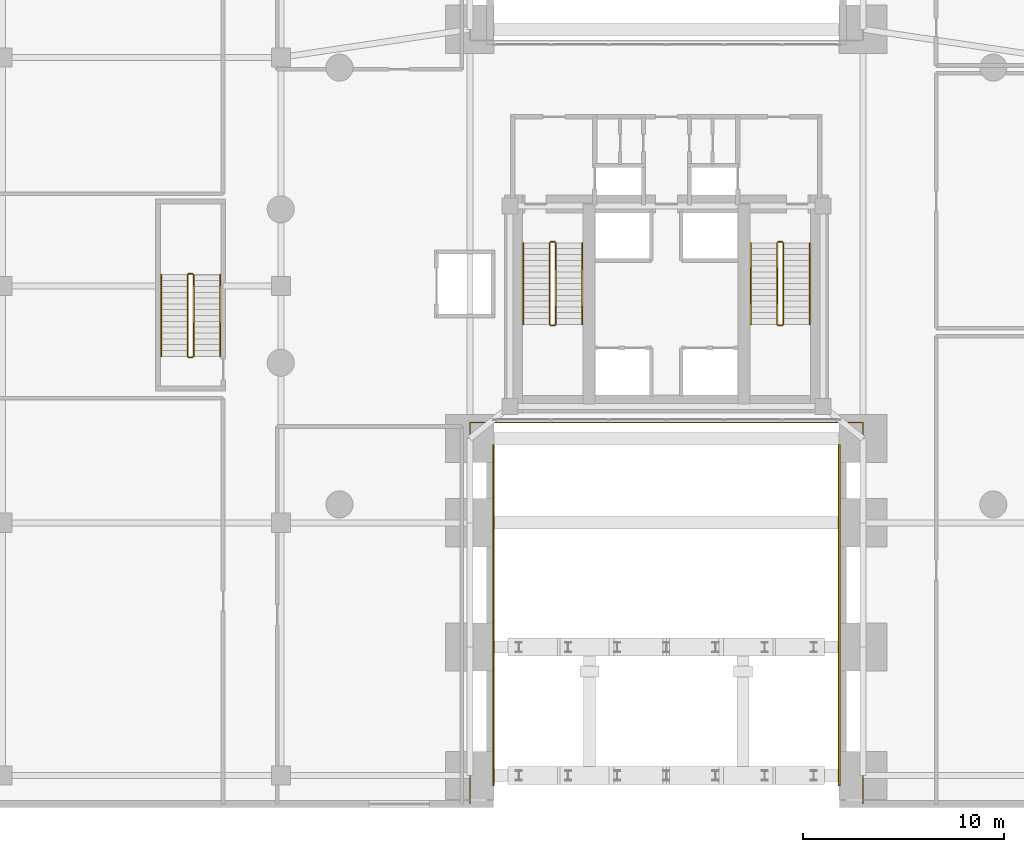
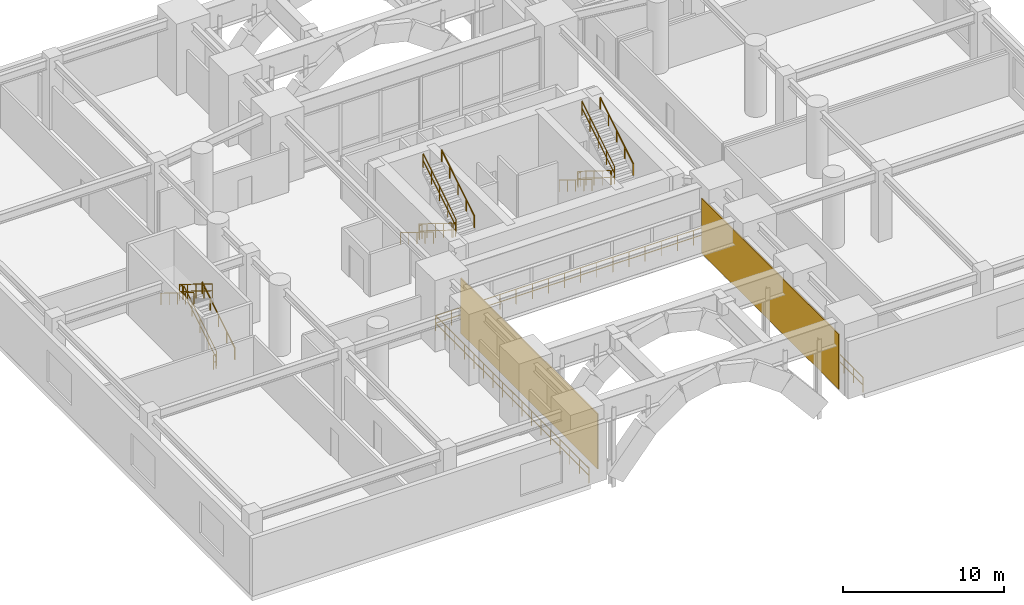
# One storey, part 17 of 18: 19 railings, 2 coverings.
"""IFC4 building model written with IfcOpenShell, lengths in metres."""

from ifc_helpers import new_model, si_unit, direction, frame, origin, origin_2d, place, context, subcontext, project, spatial, rectangle, extrude, material, layer, layer_set, type_object, element, save


model = new_model("IFC4")

# Units and contexts
model_context = context("Model", 3, precision=1e-05, world=origin(), true_north=direction((0.0, 1.0)))
body_context = subcontext(model_context, "Body", "Model", "MODEL_VIEW")
ifc_project = project(units=[si_unit("LENGTHUNIT", "METRE"), si_unit("AREAUNIT", "SQUARE_METRE"), si_unit("VOLUMEUNIT", "CUBIC_METRE"), si_unit("PLANEANGLEUNIT", "RADIAN"), si_unit("MASSUNIT", "GRAM", prefix="KILO"), si_unit("THERMODYNAMICTEMPERATUREUNIT", "KELVIN"), si_unit("POWERUNIT", "WATT")], contexts=[model_context])

# Site, building, storey
site_placement = place(None, origin())
site = spatial("IfcSite", under=ifc_project, at=site_placement, CompositionType="ELEMENT")
building_placement = place(site_placement, origin())
building = spatial("IfcBuilding", under=site, at=building_placement, Name="Ocrelia Relay Tower", CompositionType="ELEMENT")
storey_placement = place(building_placement, frame((0.0, 0.0, 10.199951171875)))
storey = spatial("IfcBuildingStorey", under=building, at=storey_placement, Name="L02", CompositionType="ELEMENT", Elevation=10.199951171875)

# Coverings
ifc_material_1 = material(Name="Pigmented oxide terracotta architectural cladding", Category="masonry")
ifc_layer = layer(ifc_material_1, 0.080078125, Name="Pigmented oxide terracotta architectural cladding")
ifc_layer_set = layer_set([ifc_layer], Name="Pigmented oxide terracotta architectural cladding")
covering_type = type_object("IfcCoveringType", Name="COV-ARCH-CLAD", PredefinedType="CLADDING", material=ifc_layer_set)
for number, where, z_axis, x_axis, name in (
    (1, (25.3798828125, 9.60009765625, 0.10009765625), (0.0, 0.0, 1.0), (1.0, 0.0, 0.0), "L02 Portal Arch Terracotta Cladding WS"),
    (2, (42.6201171875, 9.60009765625, 0.10009765625), (0.0, 0.0, 1.0), (1.0, 0.0, 0.0), "L02 Portal Arch Terracotta Cladding ES"),
):
    element("IfcCovering", number, at=place(storey_placement, frame(where, z_axis=z_axis, x_axis=x_axis)), inside=storey, type_object=covering_type, Name=name, PredefinedType="CLADDING", context=body_context, shape_type="SweptSolid", body=[
        extrude(rectangle(XDim=0.080078125, YDim=17.0, at=origin_2d()), origin(), (0.0, 0.0, 1.0), 4.159912109375),
    ])

# Railings
ifc_material_2 = material(Name="Steel S355 atrium balustrade", Category="steel")
railing_type_1 = type_object("IfcRailingType", Name="RL-INT-GUARD-115", PredefinedType="GUARDRAIL", material=ifc_material_2)
railing_1_placement = place(storey_placement, frame((24.199951171875, 0.199951171875, 0.0)))
element("IfcRailing", 3, at=railing_1_placement, inside=storey, type_object=railing_type_1, Name="L02 Portal Arch Gallery Guard S", PredefinedType="GUARDRAIL", context=body_context, shape_type="SweptSolid", body=[
    extrude(rectangle(XDim=0.048095703125, YDim=0.048095703125, at=origin_2d()), frame((0.0, 0.0, 1.1259765625), z_axis=(0.0, 1.0, 0.0), x_axis=(-1.0, 0.0, 0.0)), (0.0, 0.0, 1.0), 19.0),
    extrude(rectangle(XDim=0.048095703125, YDim=0.048095703125, at=origin_2d()), frame((0.0, 0.0, 0.574951171875), z_axis=(0.0, 1.0, 0.0), x_axis=(-1.0, 0.0, 0.0)), (0.0, 0.0, 1.0), 19.0),
    extrude(rectangle(XDim=0.048095703125, YDim=0.048095703125, at=origin_2d()), frame((0.0, 19.0, 1.1259765625), z_axis=(1.0, 0.0, 0.0), x_axis=(0.0, 1.0, 0.0)), (0.0, 0.0, 1.0), 19.60009765625),
    extrude(rectangle(XDim=0.048095703125, YDim=0.048095703125, at=origin_2d()), frame((0.0, 19.0, 0.574951171875), z_axis=(1.0, 0.0, 0.0), x_axis=(0.0, 1.0, 0.0)), (0.0, 0.0, 1.0), 19.60009765625),
    extrude(rectangle(XDim=0.048095703125, YDim=0.048095703125, at=origin_2d()), frame((19.60009765625, 19.0, 1.1259765625), z_axis=(0.0, -1.0, 0.0), x_axis=(1.0, 0.0, 0.0)), (0.0, 0.0, 1.0), 19.0),
    extrude(rectangle(XDim=0.048095703125, YDim=0.048095703125, at=origin_2d()), frame((19.60009765625, 19.0, 0.574951171875), z_axis=(0.0, -1.0, 0.0), x_axis=(1.0, 0.0, 0.0)), (0.0, 0.0, 1.0), 19.0),
    extrude(rectangle(XDim=0.0419921875, YDim=0.0419921875, at=origin_2d()), origin(), (0.0, 0.0, 1.0), 1.101806640625),
    extrude(rectangle(XDim=0.0419921875, YDim=0.0419921875, at=origin_2d()), frame((0.0, 1.1875, 0.0)), (0.0, 0.0, 1.0), 1.101806640625),
    extrude(rectangle(XDim=0.0419921875, YDim=0.0419921875, at=origin_2d()), frame((0.0, 2.375, 0.0)), (0.0, 0.0, 1.0), 1.101806640625),
    extrude(rectangle(XDim=0.0419921875, YDim=0.0419921875, at=origin_2d()), frame((0.0, 3.5625, 0.0)), (0.0, 0.0, 1.0), 1.101806640625),
    extrude(rectangle(XDim=0.0419921875, YDim=0.0419921875, at=origin_2d()), frame((0.0, 4.75, 0.0)), (0.0, 0.0, 1.0), 1.101806640625),
    extrude(rectangle(XDim=0.0419921875, YDim=0.0419921875, at=origin_2d()), frame((0.0, 5.9375, 0.0)), (0.0, 0.0, 1.0), 1.101806640625),
    extrude(rectangle(XDim=0.0419921875, YDim=0.0419921875, at=origin_2d()), frame((0.0, 7.125, 0.0)), (0.0, 0.0, 1.0), 1.101806640625),
    extrude(rectangle(XDim=0.0419921875, YDim=0.0419921875, at=origin_2d()), frame((0.0, 8.3125, 0.0)), (0.0, 0.0, 1.0), 1.101806640625),
    extrude(rectangle(XDim=0.0419921875, YDim=0.0419921875, at=origin_2d()), frame((0.0, 9.5, 0.0)), (0.0, 0.0, 1.0), 1.101806640625),
    extrude(rectangle(XDim=0.0419921875, YDim=0.0419921875, at=origin_2d()), frame((0.0, 10.6875, 0.0)), (0.0, 0.0, 1.0), 1.101806640625),
    extrude(rectangle(XDim=0.0419921875, YDim=0.0419921875, at=origin_2d()), frame((0.0, 11.875, 0.0)), (0.0, 0.0, 1.0), 1.101806640625),
    extrude(rectangle(XDim=0.0419921875, YDim=0.0419921875, at=origin_2d()), frame((0.0, 13.0625, 0.0)), (0.0, 0.0, 1.0), 1.101806640625),
    extrude(rectangle(XDim=0.0419921875, YDim=0.0419921875, at=origin_2d()), frame((0.0, 14.25, 0.0)), (0.0, 0.0, 1.0), 1.101806640625),
    extrude(rectangle(XDim=0.0419921875, YDim=0.0419921875, at=origin_2d()), frame((0.0, 15.4375, 0.0)), (0.0, 0.0, 1.0), 1.101806640625),
    extrude(rectangle(XDim=0.0419921875, YDim=0.0419921875, at=origin_2d()), frame((0.0, 16.625, 0.0)), (0.0, 0.0, 1.0), 1.101806640625),
    extrude(rectangle(XDim=0.0419921875, YDim=0.0419921875, at=origin_2d()), frame((0.0, 17.8125, 0.0)), (0.0, 0.0, 1.0), 1.101806640625),
    extrude(rectangle(XDim=0.0419921875, YDim=0.0419921875, at=origin_2d()), frame((0.0, 19.0, 0.0)), (0.0, 0.0, 1.0), 1.101806640625),
    extrude(rectangle(XDim=0.0419921875, YDim=0.0419921875, at=origin_2d()), frame((1.15283203125, 19.0, 0.0)), (0.0, 0.0, 1.0), 1.101806640625),
    extrude(rectangle(XDim=0.0419921875, YDim=0.0419921875, at=origin_2d()), frame((2.305908203125, 19.0, 0.0)), (0.0, 0.0, 1.0), 1.101806640625),
    extrude(rectangle(XDim=0.0419921875, YDim=0.0419921875, at=origin_2d()), frame((3.458740234375, 19.0, 0.0)), (0.0, 0.0, 1.0), 1.101806640625),
    extrude(rectangle(XDim=0.0419921875, YDim=0.0419921875, at=origin_2d()), frame((4.61181640625, 19.0, 0.0)), (0.0, 0.0, 1.0), 1.101806640625),
    extrude(rectangle(XDim=0.0419921875, YDim=0.0419921875, at=origin_2d()), frame((5.7646484375, 19.0, 0.0)), (0.0, 0.0, 1.0), 1.101806640625),
    extrude(rectangle(XDim=0.0419921875, YDim=0.0419921875, at=origin_2d()), frame((6.917724609375, 19.0, 0.0)), (0.0, 0.0, 1.0), 1.101806640625),
    extrude(rectangle(XDim=0.0419921875, YDim=0.0419921875, at=origin_2d()), frame((8.070556640625, 19.0, 0.0)), (0.0, 0.0, 1.0), 1.101806640625),
    extrude(rectangle(XDim=0.0419921875, YDim=0.0419921875, at=origin_2d()), frame((9.2236328125, 19.0, 0.0)), (0.0, 0.0, 1.0), 1.101806640625),
    extrude(rectangle(XDim=0.0419921875, YDim=0.0419921875, at=origin_2d()), frame((10.37646484375, 19.0, 0.0)), (0.0, 0.0, 1.0), 1.101806640625),
    extrude(rectangle(XDim=0.0419921875, YDim=0.0419921875, at=origin_2d()), frame((11.529541015625, 19.0, 0.0)), (0.0, 0.0, 1.0), 1.101806640625),
    extrude(rectangle(XDim=0.0419921875, YDim=0.0419921875, at=origin_2d()), frame((12.682373046875, 19.0, 0.0)), (0.0, 0.0, 1.0), 1.101806640625),
    extrude(rectangle(XDim=0.0419921875, YDim=0.0419921875, at=origin_2d()), frame((13.83544921875, 19.0, 0.0)), (0.0, 0.0, 1.0), 1.101806640625),
    extrude(rectangle(XDim=0.0419921875, YDim=0.0419921875, at=origin_2d()), frame((14.98828125, 19.0, 0.0)), (0.0, 0.0, 1.0), 1.101806640625),
    extrude(rectangle(XDim=0.0419921875, YDim=0.0419921875, at=origin_2d()), frame((16.141357421875, 19.0, 0.0)), (0.0, 0.0, 1.0), 1.101806640625),
    extrude(rectangle(XDim=0.0419921875, YDim=0.0419921875, at=origin_2d()), frame((17.294189453125, 19.0, 0.0)), (0.0, 0.0, 1.0), 1.101806640625),
    extrude(rectangle(XDim=0.0419921875, YDim=0.0419921875, at=origin_2d()), frame((18.447265625, 19.0, 0.0)), (0.0, 0.0, 1.0), 1.101806640625),
    extrude(rectangle(XDim=0.0419921875, YDim=0.0419921875, at=origin_2d()), frame((19.60009765625, 19.0, 0.0)), (0.0, 0.0, 1.0), 1.101806640625),
    extrude(rectangle(XDim=0.0419921875, YDim=0.0419921875, at=origin_2d()), frame((19.60009765625, 17.8125, 0.0)), (0.0, 0.0, 1.0), 1.101806640625),
    extrude(rectangle(XDim=0.0419921875, YDim=0.0419921875, at=origin_2d()), frame((19.60009765625, 16.625, 0.0)), (0.0, 0.0, 1.0), 1.101806640625),
    extrude(rectangle(XDim=0.0419921875, YDim=0.0419921875, at=origin_2d()), frame((19.60009765625, 15.4375, 0.0)), (0.0, 0.0, 1.0), 1.101806640625),
    extrude(rectangle(XDim=0.0419921875, YDim=0.0419921875, at=origin_2d()), frame((19.60009765625, 14.25, 0.0)), (0.0, 0.0, 1.0), 1.101806640625),
    extrude(rectangle(XDim=0.0419921875, YDim=0.0419921875, at=origin_2d()), frame((19.60009765625, 13.0625, 0.0)), (0.0, 0.0, 1.0), 1.101806640625),
    extrude(rectangle(XDim=0.0419921875, YDim=0.0419921875, at=origin_2d()), frame((19.60009765625, 11.875, 0.0)), (0.0, 0.0, 1.0), 1.101806640625),
    extrude(rectangle(XDim=0.0419921875, YDim=0.0419921875, at=origin_2d()), frame((19.60009765625, 10.6875, 0.0)), (0.0, 0.0, 1.0), 1.101806640625),
    extrude(rectangle(XDim=0.0419921875, YDim=0.0419921875, at=origin_2d()), frame((19.60009765625, 9.5, 0.0)), (0.0, 0.0, 1.0), 1.101806640625),
    extrude(rectangle(XDim=0.0419921875, YDim=0.0419921875, at=origin_2d()), frame((19.60009765625, 8.3125, 0.0)), (0.0, 0.0, 1.0), 1.101806640625),
    extrude(rectangle(XDim=0.0419921875, YDim=0.0419921875, at=origin_2d()), frame((19.60009765625, 7.125, 0.0)), (0.0, 0.0, 1.0), 1.101806640625),
    extrude(rectangle(XDim=0.0419921875, YDim=0.0419921875, at=origin_2d()), frame((19.60009765625, 5.9375, 0.0)), (0.0, 0.0, 1.0), 1.101806640625),
    extrude(rectangle(XDim=0.0419921875, YDim=0.0419921875, at=origin_2d()), frame((19.60009765625, 4.75, 0.0)), (0.0, 0.0, 1.0), 1.101806640625),
    extrude(rectangle(XDim=0.0419921875, YDim=0.0419921875, at=origin_2d()), frame((19.60009765625, 3.5625, 0.0)), (0.0, 0.0, 1.0), 1.101806640625),
    extrude(rectangle(XDim=0.0419921875, YDim=0.0419921875, at=origin_2d()), frame((19.60009765625, 2.375, 0.0)), (0.0, 0.0, 1.0), 1.101806640625),
    extrude(rectangle(XDim=0.0419921875, YDim=0.0419921875, at=origin_2d()), frame((19.60009765625, 1.1875, 0.0)), (0.0, 0.0, 1.0), 1.101806640625),
    extrude(rectangle(XDim=0.0419921875, YDim=0.0419921875, at=origin_2d()), frame((19.60009765625, 0.0, 0.0)), (0.0, 0.0, 1.0), 1.101806640625),
])
ifc_material_3 = material(Name="Steel S355 balustrade", Category="steel")
railing_type_2 = type_object("IfcRailingType", Name="RL-STAIR-GUARD", PredefinedType="GUARDRAIL", material=ifc_material_3)
railing_2_placement = place(storey_placement, frame((28.179931640625, 28.14990234375, 0.179931640625)))
element("IfcRailing", 4, at=railing_2_placement, inside=storey, type_object=railing_type_2, Name="L02 ST1 stair guard 1", PredefinedType="GUARDRAIL", context=body_context, shape_type="SweptSolid", body=[
    extrude(rectangle(XDim=0.048095703125, YDim=0.048095703125, at=origin_2d()), frame((0.0, 0.0, 1.076171875), z_axis=(0.0, -0.849627535208, 0.527383211162), x_axis=(1.0, 0.0, 0.0)), (0.0, 0.0, 1.0), 4.7783203125),
    extrude(rectangle(XDim=0.048095703125, YDim=0.048095703125, at=origin_2d()), frame((0.0, 0.0, 0.550048828125), z_axis=(0.0, -0.849627535208, 0.527383211162), x_axis=(1.0, 0.0, 0.0)), (0.0, 0.0, 1.0), 4.7783203125),
    extrude(rectangle(XDim=0.0419921875, YDim=0.0419921875, at=origin_2d()), origin(), (0.0, 0.0, 1.0), 1.052001953125),
    extrude(rectangle(XDim=0.0419921875, YDim=0.0419921875, at=origin_2d()), frame((0.0, -1.014892578125, 0.6298828125)), (0.0, 0.0, 1.0), 1.052001953125),
    extrude(rectangle(XDim=0.0419921875, YDim=0.0419921875, at=origin_2d()), frame((0.0, -2.02978515625, 1.260009765625)), (0.0, 0.0, 1.0), 1.052001953125),
    extrude(rectangle(XDim=0.0419921875, YDim=0.0419921875, at=origin_2d()), frame((0.0, -3.044921875, 1.89013671875)), (0.0, 0.0, 1.0), 1.052001953125),
    extrude(rectangle(XDim=0.0419921875, YDim=0.0419921875, at=origin_2d()), frame((0.0, -4.059814453125, 2.52001953125)), (0.0, 0.0, 1.0), 1.052001953125),
])
railing_3_placement = place(storey_placement, frame((28.22998046875, 24.0400390625, 2.699951171875)))
element("IfcRailing", 5, at=railing_3_placement, inside=storey, type_object=railing_type_2, Name="L02 ST1 stair guard 2", PredefinedType="GUARDRAIL", context=body_context, shape_type="SweptSolid", body=[
    extrude(rectangle(XDim=0.048095703125, YDim=0.048095703125, at=origin_2d()), frame((0.0, 0.0, 1.076171875), z_axis=(1.0, 0.0, 0.0), x_axis=(0.0, 1.0, 0.0)), (0.0, 0.0, 1.0), 0.199951171875),
    extrude(rectangle(XDim=0.048095703125, YDim=0.048095703125, at=origin_2d()), frame((0.0, 0.0, 0.550048828125), z_axis=(1.0, 0.0, 0.0), x_axis=(0.0, 1.0, 0.0)), (0.0, 0.0, 1.0), 0.199951171875),
    extrude(rectangle(XDim=0.0419921875, YDim=0.0419921875, at=origin_2d()), origin(), (0.0, 0.0, 1.0), 1.052001953125),
    extrude(rectangle(XDim=0.0419921875, YDim=0.0419921875, at=origin_2d()), frame((0.199951171875, 0.0, 0.0)), (0.0, 0.0, 1.0), 1.052001953125),
])
railing_4_placement = place(storey_placement, frame((28.47998046875, 24.090087890625, 2.880126953125)))
element("IfcRailing", 6, at=railing_4_placement, inside=storey, type_object=railing_type_2, Name="L02 ST1 stair guard 3", PredefinedType="GUARDRAIL", context=body_context, shape_type="SweptSolid", body=[
    extrude(rectangle(XDim=0.048095703125, YDim=0.048095703125, at=origin_2d()), frame((0.0, 0.0, 1.076171875), z_axis=(0.0, 0.849627535208, 0.527383211162), x_axis=(-1.0, 0.0, 0.0)), (0.0, 0.0, 1.0), 4.7783203125),
    extrude(rectangle(XDim=0.048095703125, YDim=0.048095703125, at=origin_2d()), frame((0.0, 0.0, 0.550048828125), z_axis=(0.0, 0.849627535208, 0.527383211162), x_axis=(-1.0, 0.0, 0.0)), (0.0, 0.0, 1.0), 4.7783203125),
    extrude(rectangle(XDim=0.0419921875, YDim=0.0419921875, at=origin_2d()), origin(), (0.0, 0.0, 1.0), 1.052001953125),
    extrude(rectangle(XDim=0.0419921875, YDim=0.0419921875, at=origin_2d()), frame((0.0, 1.014892578125, 0.6298828125)), (0.0, 0.0, 1.0), 1.052001953125),
    extrude(rectangle(XDim=0.0419921875, YDim=0.0419921875, at=origin_2d()), frame((0.0, 2.02978515625, 1.260009765625)), (0.0, 0.0, 1.0), 1.052001953125),
    extrude(rectangle(XDim=0.0419921875, YDim=0.0419921875, at=origin_2d()), frame((0.0, 3.044921875, 1.89013671875)), (0.0, 0.0, 1.0), 1.052001953125),
    extrude(rectangle(XDim=0.0419921875, YDim=0.0419921875, at=origin_2d()), frame((0.0, 4.059814453125, 2.52001953125)), (0.0, 0.0, 1.0), 1.052001953125),
])
railing_5_placement = place(storey_placement, frame((28.22998046875, 28.199951171875, 0.0)))
element("IfcRailing", 7, at=railing_5_placement, inside=storey, type_object=railing_type_2, Name="L02 ST1 stair guard 4", PredefinedType="GUARDRAIL", context=body_context, shape_type="SweptSolid", body=[
    extrude(rectangle(XDim=0.048095703125, YDim=0.048095703125, at=origin_2d()), frame((0.0, 0.0, 1.076171875), z_axis=(1.0, 0.0, 0.0), x_axis=(0.0, 1.0, 0.0)), (0.0, 0.0, 1.0), 0.199951171875),
    extrude(rectangle(XDim=0.048095703125, YDim=0.048095703125, at=origin_2d()), frame((0.0, 0.0, 0.550048828125), z_axis=(1.0, 0.0, 0.0), x_axis=(0.0, 1.0, 0.0)), (0.0, 0.0, 1.0), 0.199951171875),
    extrude(rectangle(XDim=0.0419921875, YDim=0.0419921875, at=origin_2d()), origin(), (0.0, 0.0, 1.0), 1.052001953125),
    extrude(rectangle(XDim=0.0419921875, YDim=0.0419921875, at=origin_2d()), frame((0.199951171875, 0.0, 0.0)), (0.0, 0.0, 1.0), 1.052001953125),
])
railing_6_placement = place(storey_placement, frame((39.530029296875, 28.14990234375, 0.179931640625)))
element("IfcRailing", 8, at=railing_6_placement, inside=storey, type_object=railing_type_2, Name="L02 ST2 stair guard 1", PredefinedType="GUARDRAIL", context=body_context, shape_type="SweptSolid", body=[
    extrude(rectangle(XDim=0.048095703125, YDim=0.048095703125, at=origin_2d()), frame((0.0, 0.0, 1.076171875), z_axis=(0.0, -0.849627535208, 0.527383211162), x_axis=(1.0, 0.0, 0.0)), (0.0, 0.0, 1.0), 4.7783203125),
    extrude(rectangle(XDim=0.048095703125, YDim=0.048095703125, at=origin_2d()), frame((0.0, 0.0, 0.550048828125), z_axis=(0.0, -0.849627535208, 0.527383211162), x_axis=(1.0, 0.0, 0.0)), (0.0, 0.0, 1.0), 4.7783203125),
    extrude(rectangle(XDim=0.0419921875, YDim=0.0419921875, at=origin_2d()), origin(), (0.0, 0.0, 1.0), 1.052001953125),
    extrude(rectangle(XDim=0.0419921875, YDim=0.0419921875, at=origin_2d()), frame((0.0, -1.014892578125, 0.6298828125)), (0.0, 0.0, 1.0), 1.052001953125),
    extrude(rectangle(XDim=0.0419921875, YDim=0.0419921875, at=origin_2d()), frame((0.0, -2.02978515625, 1.260009765625)), (0.0, 0.0, 1.0), 1.052001953125),
    extrude(rectangle(XDim=0.0419921875, YDim=0.0419921875, at=origin_2d()), frame((0.0, -3.044921875, 1.89013671875)), (0.0, 0.0, 1.0), 1.052001953125),
    extrude(rectangle(XDim=0.0419921875, YDim=0.0419921875, at=origin_2d()), frame((0.0, -4.059814453125, 2.52001953125)), (0.0, 0.0, 1.0), 1.052001953125),
])
railing_7_placement = place(storey_placement, frame((39.580078125, 24.0400390625, 2.699951171875)))
element("IfcRailing", 9, at=railing_7_placement, inside=storey, type_object=railing_type_2, Name="L02 ST2 stair guard 2", PredefinedType="GUARDRAIL", context=body_context, shape_type="SweptSolid", body=[
    extrude(rectangle(XDim=0.048095703125, YDim=0.048095703125, at=origin_2d()), frame((0.0, 0.0, 1.076171875), z_axis=(1.0, 0.0, 0.0), x_axis=(0.0, 1.0, 0.0)), (0.0, 0.0, 1.0), 0.199951171875),
    extrude(rectangle(XDim=0.048095703125, YDim=0.048095703125, at=origin_2d()), frame((0.0, 0.0, 0.550048828125), z_axis=(1.0, 0.0, 0.0), x_axis=(0.0, 1.0, 0.0)), (0.0, 0.0, 1.0), 0.199951171875),
    extrude(rectangle(XDim=0.0419921875, YDim=0.0419921875, at=origin_2d()), origin(), (0.0, 0.0, 1.0), 1.052001953125),
    extrude(rectangle(XDim=0.0419921875, YDim=0.0419921875, at=origin_2d()), frame((0.199951171875, 0.0, 0.0)), (0.0, 0.0, 1.0), 1.052001953125),
])
railing_8_placement = place(storey_placement, frame((39.830078125, 24.090087890625, 2.880126953125)))
element("IfcRailing", 10, at=railing_8_placement, inside=storey, type_object=railing_type_2, Name="L02 ST2 stair guard 3", PredefinedType="GUARDRAIL", context=body_context, shape_type="SweptSolid", body=[
    extrude(rectangle(XDim=0.048095703125, YDim=0.048095703125, at=origin_2d()), frame((0.0, 0.0, 1.076171875), z_axis=(0.0, 0.849627535208, 0.527383211162), x_axis=(-1.0, 0.0, 0.0)), (0.0, 0.0, 1.0), 4.7783203125),
    extrude(rectangle(XDim=0.048095703125, YDim=0.048095703125, at=origin_2d()), frame((0.0, 0.0, 0.550048828125), z_axis=(0.0, 0.849627535208, 0.527383211162), x_axis=(-1.0, 0.0, 0.0)), (0.0, 0.0, 1.0), 4.7783203125),
    extrude(rectangle(XDim=0.0419921875, YDim=0.0419921875, at=origin_2d()), origin(), (0.0, 0.0, 1.0), 1.052001953125),
    extrude(rectangle(XDim=0.0419921875, YDim=0.0419921875, at=origin_2d()), frame((0.0, 1.014892578125, 0.6298828125)), (0.0, 0.0, 1.0), 1.052001953125),
    extrude(rectangle(XDim=0.0419921875, YDim=0.0419921875, at=origin_2d()), frame((0.0, 2.02978515625, 1.260009765625)), (0.0, 0.0, 1.0), 1.052001953125),
    extrude(rectangle(XDim=0.0419921875, YDim=0.0419921875, at=origin_2d()), frame((0.0, 3.044921875, 1.89013671875)), (0.0, 0.0, 1.0), 1.052001953125),
    extrude(rectangle(XDim=0.0419921875, YDim=0.0419921875, at=origin_2d()), frame((0.0, 4.059814453125, 2.52001953125)), (0.0, 0.0, 1.0), 1.052001953125),
])
railing_9_placement = place(storey_placement, frame((39.580078125, 28.199951171875, 0.0)))
element("IfcRailing", 11, at=railing_9_placement, inside=storey, type_object=railing_type_2, Name="L02 ST2 stair guard 4", PredefinedType="GUARDRAIL", context=body_context, shape_type="SweptSolid", body=[
    extrude(rectangle(XDim=0.048095703125, YDim=0.048095703125, at=origin_2d()), frame((0.0, 0.0, 1.076171875), z_axis=(1.0, 0.0, 0.0), x_axis=(0.0, 1.0, 0.0)), (0.0, 0.0, 1.0), 0.199951171875),
    extrude(rectangle(XDim=0.048095703125, YDim=0.048095703125, at=origin_2d()), frame((0.0, 0.0, 0.550048828125), z_axis=(1.0, 0.0, 0.0), x_axis=(0.0, 1.0, 0.0)), (0.0, 0.0, 1.0), 0.199951171875),
    extrude(rectangle(XDim=0.0419921875, YDim=0.0419921875, at=origin_2d()), origin(), (0.0, 0.0, 1.0), 1.052001953125),
    extrude(rectangle(XDim=0.0419921875, YDim=0.0419921875, at=origin_2d()), frame((0.199951171875, 0.0, 0.0)), (0.0, 0.0, 1.0), 1.052001953125),
])
railing_10_placement = place(storey_placement, frame((10.429931640625, 22.5, 0.179931640625)))
element("IfcRailing", 12, at=railing_10_placement, inside=storey, type_object=railing_type_2, Name="L02 ST3 stair guard 1", PredefinedType="GUARDRAIL", context=body_context, shape_type="SweptSolid", body=[
    extrude(rectangle(XDim=0.048095703125, YDim=0.048095703125, at=origin_2d()), frame((0.0, 0.0, 1.076171875), z_axis=(0.0, 0.849641744969, 0.527360318194), x_axis=(-1.0, 0.0, 0.0)), (0.0, 0.0, 1.0), 4.778564453125),
    extrude(rectangle(XDim=0.048095703125, YDim=0.048095703125, at=origin_2d()), frame((0.0, 0.0, 0.550048828125), z_axis=(0.0, 0.849641744969, 0.527360318194), x_axis=(-1.0, 0.0, 0.0)), (0.0, 0.0, 1.0), 4.778564453125),
    extrude(rectangle(XDim=0.0419921875, YDim=0.0419921875, at=origin_2d()), origin(), (0.0, 0.0, 1.0), 1.052001953125),
    extrude(rectangle(XDim=0.0419921875, YDim=0.0419921875, at=origin_2d()), frame((0.0, 1.01513671875, 0.6298828125)), (0.0, 0.0, 1.0), 1.052001953125),
    extrude(rectangle(XDim=0.0419921875, YDim=0.0419921875, at=origin_2d()), frame((0.0, 2.030029296875, 1.260009765625)), (0.0, 0.0, 1.0), 1.052001953125),
    extrude(rectangle(XDim=0.0419921875, YDim=0.0419921875, at=origin_2d()), frame((0.0, 3.044921875, 1.89013671875)), (0.0, 0.0, 1.0), 1.052001953125),
    extrude(rectangle(XDim=0.0419921875, YDim=0.0419921875, at=origin_2d()), frame((0.0, 4.06005859375, 2.52001953125)), (0.0, 0.0, 1.0), 1.052001953125),
])
railing_11_placement = place(storey_placement, frame((10.3798828125, 26.610107421875, 2.699951171875)))
element("IfcRailing", 13, at=railing_11_placement, inside=storey, type_object=railing_type_2, Name="L02 ST3 stair guard 2", PredefinedType="GUARDRAIL", context=body_context, shape_type="SweptSolid", body=[
    extrude(rectangle(XDim=0.048095703125, YDim=0.048095703125, at=origin_2d()), frame((0.0, 0.0, 1.076171875), z_axis=(-1.0, 0.0, 0.0), x_axis=(0.0, -1.0, 0.0)), (0.0, 0.0, 1.0), 0.199951171875),
    extrude(rectangle(XDim=0.048095703125, YDim=0.048095703125, at=origin_2d()), frame((0.0, 0.0, 0.550048828125), z_axis=(-1.0, 0.0, 0.0), x_axis=(0.0, -1.0, 0.0)), (0.0, 0.0, 1.0), 0.199951171875),
    extrude(rectangle(XDim=0.0419921875, YDim=0.0419921875, at=origin_2d()), origin(), (0.0, 0.0, 1.0), 1.052001953125),
    extrude(rectangle(XDim=0.0419921875, YDim=0.0419921875, at=origin_2d()), frame((-0.199951171875, 0.0, 0.0)), (0.0, 0.0, 1.0), 1.052001953125),
])
railing_12_placement = place(storey_placement, frame((10.1298828125, 26.56005859375, 2.880126953125)))
element("IfcRailing", 14, at=railing_12_placement, inside=storey, type_object=railing_type_2, Name="L02 ST3 stair guard 3", PredefinedType="GUARDRAIL", context=body_context, shape_type="SweptSolid", body=[
    extrude(rectangle(XDim=0.048095703125, YDim=0.048095703125, at=origin_2d()), frame((0.0, 0.0, 1.076171875), z_axis=(0.0, -0.849641744969, 0.527360318194), x_axis=(1.0, 0.0, 0.0)), (0.0, 0.0, 1.0), 4.778564453125),
    extrude(rectangle(XDim=0.048095703125, YDim=0.048095703125, at=origin_2d()), frame((0.0, 0.0, 0.550048828125), z_axis=(0.0, -0.849641744969, 0.527360318194), x_axis=(1.0, 0.0, 0.0)), (0.0, 0.0, 1.0), 4.778564453125),
    extrude(rectangle(XDim=0.0419921875, YDim=0.0419921875, at=origin_2d()), origin(), (0.0, 0.0, 1.0), 1.052001953125),
    extrude(rectangle(XDim=0.0419921875, YDim=0.0419921875, at=origin_2d()), frame((0.0, -1.01513671875, 0.6298828125)), (0.0, 0.0, 1.0), 1.052001953125),
    extrude(rectangle(XDim=0.0419921875, YDim=0.0419921875, at=origin_2d()), frame((0.0, -2.030029296875, 1.260009765625)), (0.0, 0.0, 1.0), 1.052001953125),
    extrude(rectangle(XDim=0.0419921875, YDim=0.0419921875, at=origin_2d()), frame((0.0, -3.044921875, 1.89013671875)), (0.0, 0.0, 1.0), 1.052001953125),
    extrude(rectangle(XDim=0.0419921875, YDim=0.0419921875, at=origin_2d()), frame((0.0, -4.06005859375, 2.52001953125)), (0.0, 0.0, 1.0), 1.052001953125),
])
railing_13_placement = place(storey_placement, frame((10.3798828125, 22.449951171875, 0.0)))
element("IfcRailing", 15, at=railing_13_placement, inside=storey, type_object=railing_type_2, Name="L02 ST3 stair guard 4", PredefinedType="GUARDRAIL", context=body_context, shape_type="SweptSolid", body=[
    extrude(rectangle(XDim=0.048095703125, YDim=0.048095703125, at=origin_2d()), frame((0.0, 0.0, 1.076171875), z_axis=(-1.0, 0.0, 0.0), x_axis=(0.0, -1.0, 0.0)), (0.0, 0.0, 1.0), 0.199951171875),
    extrude(rectangle(XDim=0.048095703125, YDim=0.048095703125, at=origin_2d()), frame((0.0, 0.0, 0.550048828125), z_axis=(-1.0, 0.0, 0.0), x_axis=(0.0, -1.0, 0.0)), (0.0, 0.0, 1.0), 0.199951171875),
    extrude(rectangle(XDim=0.0419921875, YDim=0.0419921875, at=origin_2d()), origin(), (0.0, 0.0, 1.0), 1.052001953125),
    extrude(rectangle(XDim=0.0419921875, YDim=0.0419921875, at=origin_2d()), frame((-0.199951171875, 0.0, 0.0)), (0.0, 0.0, 1.0), 1.052001953125),
])
ifc_material_4 = material(Name="Steel S355 tubular handrail", Category="steel")
railing_type_3 = type_object("IfcRailingType", Name="RL-STAIR-HAND", PredefinedType="HANDRAIL", material=ifc_material_4)
railing_14_placement = place(storey_placement, frame((26.860107421875, 28.14990234375, 0.179931640625)))
element("IfcRailing", 16, at=railing_14_placement, inside=storey, type_object=railing_type_3, Name="L02 ST1 stair handrail 1", PredefinedType="HANDRAIL", context=body_context, shape_type="SweptSolid", body=[
    extrude(rectangle(XDim=0.048095703125, YDim=0.048095703125, at=origin_2d()), frame((0.0, 0.0, 0.8759765625), z_axis=(0.0, -0.849627535208, 0.527383211162), x_axis=(1.0, 0.0, 0.0)), (0.0, 0.0, 1.0), 4.7783203125),
    extrude(rectangle(XDim=0.0419921875, YDim=0.0419921875, at=origin_2d()), origin(), (0.0, 0.0, 1.0), 0.851806640625),
    extrude(rectangle(XDim=0.0419921875, YDim=0.0419921875, at=origin_2d()), frame((0.0, -1.014892578125, 0.6298828125)), (0.0, 0.0, 1.0), 0.851806640625),
    extrude(rectangle(XDim=0.0419921875, YDim=0.0419921875, at=origin_2d()), frame((0.0, -2.02978515625, 1.260009765625)), (0.0, 0.0, 1.0), 0.851806640625),
    extrude(rectangle(XDim=0.0419921875, YDim=0.0419921875, at=origin_2d()), frame((0.0, -3.044921875, 1.89013671875)), (0.0, 0.0, 1.0), 0.851806640625),
    extrude(rectangle(XDim=0.0419921875, YDim=0.0419921875, at=origin_2d()), frame((0.0, -4.059814453125, 2.52001953125)), (0.0, 0.0, 1.0), 0.851806640625),
])
railing_15_placement = place(storey_placement, frame((29.800048828125, 24.090087890625, 2.880126953125)))
element("IfcRailing", 17, at=railing_15_placement, inside=storey, type_object=railing_type_3, Name="L02 ST1 stair handrail 2", PredefinedType="HANDRAIL", context=body_context, shape_type="SweptSolid", body=[
    extrude(rectangle(XDim=0.048095703125, YDim=0.048095703125, at=origin_2d()), frame((0.0, 0.0, 0.8759765625), z_axis=(0.0, 0.849627535208, 0.527383211162), x_axis=(-1.0, 0.0, 0.0)), (0.0, 0.0, 1.0), 4.7783203125),
    extrude(rectangle(XDim=0.0419921875, YDim=0.0419921875, at=origin_2d()), origin(), (0.0, 0.0, 1.0), 0.851806640625),
    extrude(rectangle(XDim=0.0419921875, YDim=0.0419921875, at=origin_2d()), frame((0.0, 1.014892578125, 0.6298828125)), (0.0, 0.0, 1.0), 0.851806640625),
    extrude(rectangle(XDim=0.0419921875, YDim=0.0419921875, at=origin_2d()), frame((0.0, 2.02978515625, 1.260009765625)), (0.0, 0.0, 1.0), 0.851806640625),
    extrude(rectangle(XDim=0.0419921875, YDim=0.0419921875, at=origin_2d()), frame((0.0, 3.044921875, 1.89013671875)), (0.0, 0.0, 1.0), 0.851806640625),
    extrude(rectangle(XDim=0.0419921875, YDim=0.0419921875, at=origin_2d()), frame((0.0, 4.059814453125, 2.52001953125)), (0.0, 0.0, 1.0), 0.851806640625),
])
railing_16_placement = place(storey_placement, frame((38.2099609375, 28.14990234375, 0.179931640625)))
element("IfcRailing", 18, at=railing_16_placement, inside=storey, type_object=railing_type_3, Name="L02 ST2 stair handrail 1", PredefinedType="HANDRAIL", context=body_context, shape_type="SweptSolid", body=[
    extrude(rectangle(XDim=0.048095703125, YDim=0.048095703125, at=origin_2d()), frame((0.0, 0.0, 0.8759765625), z_axis=(0.0, -0.849627535208, 0.527383211162), x_axis=(1.0, 0.0, 0.0)), (0.0, 0.0, 1.0), 4.7783203125),
    extrude(rectangle(XDim=0.0419921875, YDim=0.0419921875, at=origin_2d()), origin(), (0.0, 0.0, 1.0), 0.851806640625),
    extrude(rectangle(XDim=0.0419921875, YDim=0.0419921875, at=origin_2d()), frame((0.0, -1.014892578125, 0.6298828125)), (0.0, 0.0, 1.0), 0.851806640625),
    extrude(rectangle(XDim=0.0419921875, YDim=0.0419921875, at=origin_2d()), frame((0.0, -2.02978515625, 1.260009765625)), (0.0, 0.0, 1.0), 0.851806640625),
    extrude(rectangle(XDim=0.0419921875, YDim=0.0419921875, at=origin_2d()), frame((0.0, -3.044921875, 1.89013671875)), (0.0, 0.0, 1.0), 0.851806640625),
    extrude(rectangle(XDim=0.0419921875, YDim=0.0419921875, at=origin_2d()), frame((0.0, -4.059814453125, 2.52001953125)), (0.0, 0.0, 1.0), 0.851806640625),
])
railing_17_placement = place(storey_placement, frame((41.14990234375, 24.090087890625, 2.880126953125)))
element("IfcRailing", 19, at=railing_17_placement, inside=storey, type_object=railing_type_3, Name="L02 ST2 stair handrail 2", PredefinedType="HANDRAIL", context=body_context, shape_type="SweptSolid", body=[
    extrude(rectangle(XDim=0.048095703125, YDim=0.048095703125, at=origin_2d()), frame((0.0, 0.0, 0.8759765625), z_axis=(0.0, 0.849627535208, 0.527383211162), x_axis=(-1.0, 0.0, 0.0)), (0.0, 0.0, 1.0), 4.7783203125),
    extrude(rectangle(XDim=0.0419921875, YDim=0.0419921875, at=origin_2d()), origin(), (0.0, 0.0, 1.0), 0.851806640625),
    extrude(rectangle(XDim=0.0419921875, YDim=0.0419921875, at=origin_2d()), frame((0.0, 1.014892578125, 0.6298828125)), (0.0, 0.0, 1.0), 0.851806640625),
    extrude(rectangle(XDim=0.0419921875, YDim=0.0419921875, at=origin_2d()), frame((0.0, 2.02978515625, 1.260009765625)), (0.0, 0.0, 1.0), 0.851806640625),
    extrude(rectangle(XDim=0.0419921875, YDim=0.0419921875, at=origin_2d()), frame((0.0, 3.044921875, 1.89013671875)), (0.0, 0.0, 1.0), 0.851806640625),
    extrude(rectangle(XDim=0.0419921875, YDim=0.0419921875, at=origin_2d()), frame((0.0, 4.059814453125, 2.52001953125)), (0.0, 0.0, 1.0), 0.851806640625),
])
railing_18_placement = place(storey_placement, frame((11.75, 22.5, 0.179931640625)))
element("IfcRailing", 20, at=railing_18_placement, inside=storey, type_object=railing_type_3, Name="L02 ST3 stair handrail 1", PredefinedType="HANDRAIL", context=body_context, shape_type="SweptSolid", body=[
    extrude(rectangle(XDim=0.048095703125, YDim=0.048095703125, at=origin_2d()), frame((0.0, 0.0, 0.8759765625), z_axis=(0.0, 0.849641744969, 0.527360318194), x_axis=(-1.0, 0.0, 0.0)), (0.0, 0.0, 1.0), 4.778564453125),
    extrude(rectangle(XDim=0.0419921875, YDim=0.0419921875, at=origin_2d()), origin(), (0.0, 0.0, 1.0), 0.851806640625),
    extrude(rectangle(XDim=0.0419921875, YDim=0.0419921875, at=origin_2d()), frame((0.0, 1.01513671875, 0.6298828125)), (0.0, 0.0, 1.0), 0.851806640625),
    extrude(rectangle(XDim=0.0419921875, YDim=0.0419921875, at=origin_2d()), frame((0.0, 2.030029296875, 1.260009765625)), (0.0, 0.0, 1.0), 0.851806640625),
    extrude(rectangle(XDim=0.0419921875, YDim=0.0419921875, at=origin_2d()), frame((0.0, 3.044921875, 1.89013671875)), (0.0, 0.0, 1.0), 0.851806640625),
    extrude(rectangle(XDim=0.0419921875, YDim=0.0419921875, at=origin_2d()), frame((0.0, 4.06005859375, 2.52001953125)), (0.0, 0.0, 1.0), 0.851806640625),
])
railing_19_placement = place(storey_placement, frame((8.81005859375, 26.56005859375, 2.880126953125)))
element("IfcRailing", 21, at=railing_19_placement, inside=storey, type_object=railing_type_3, Name="L02 ST3 stair handrail 2", PredefinedType="HANDRAIL", context=body_context, shape_type="SweptSolid", body=[
    extrude(rectangle(XDim=0.048095703125, YDim=0.048095703125, at=origin_2d()), frame((0.0, 0.0, 0.8759765625), z_axis=(0.0, -0.849641744969, 0.527360318194), x_axis=(1.0, 0.0, 0.0)), (0.0, 0.0, 1.0), 4.778564453125),
    extrude(rectangle(XDim=0.0419921875, YDim=0.0419921875, at=origin_2d()), origin(), (0.0, 0.0, 1.0), 0.851806640625),
    extrude(rectangle(XDim=0.0419921875, YDim=0.0419921875, at=origin_2d()), frame((0.0, -1.01513671875, 0.6298828125)), (0.0, 0.0, 1.0), 0.851806640625),
    extrude(rectangle(XDim=0.0419921875, YDim=0.0419921875, at=origin_2d()), frame((0.0, -2.030029296875, 1.260009765625)), (0.0, 0.0, 1.0), 0.851806640625),
    extrude(rectangle(XDim=0.0419921875, YDim=0.0419921875, at=origin_2d()), frame((0.0, -3.044921875, 1.89013671875)), (0.0, 0.0, 1.0), 0.851806640625),
    extrude(rectangle(XDim=0.0419921875, YDim=0.0419921875, at=origin_2d()), frame((0.0, -4.06005859375, 2.52001953125)), (0.0, 0.0, 1.0), 0.851806640625),
])

save(model, "model.ifc")
